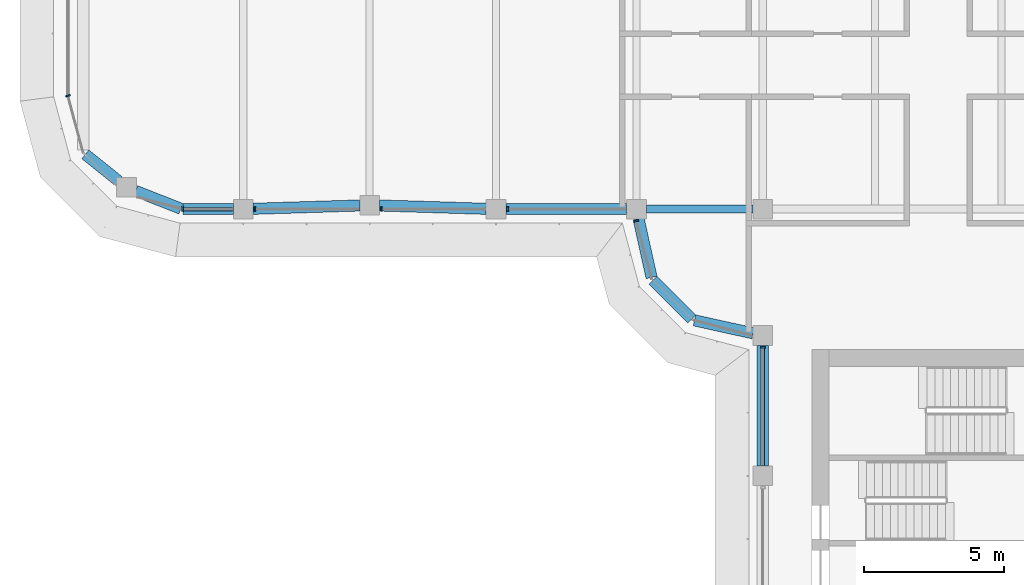
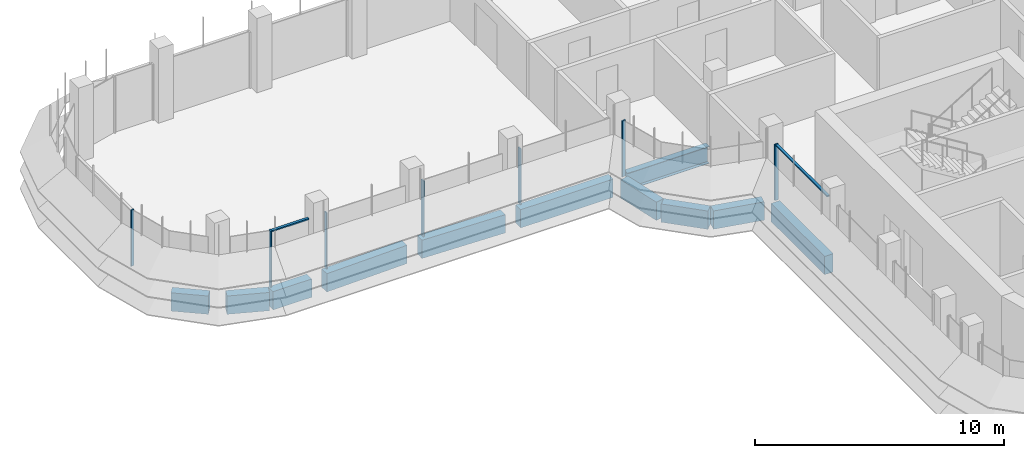
# One storey, part 3 of 19: 11 beams, 9 members, 4 elements without a shape of their own.
"""IFC4 building model written with IfcOpenShell, lengths in metres."""

from ifc_helpers import new_model, si_unit, direction, frame, origin, origin_2d, place, context, subcontext, project, spatial, polyline, rectangle, i_section, outline, extrude, source, transform, mapped, material, material_profile, profile_set, type_object, element, aggregate, save


model = new_model("IFC4")

# Units and contexts
model_context = context("Model", 3, precision=1e-05, world=origin(), true_north=direction((0.0, 1.0)))
body_context = subcontext(model_context, "Body", "Model", "MODEL_VIEW")
ifc_project = project(units=[si_unit("LENGTHUNIT", "METRE"), si_unit("AREAUNIT", "SQUARE_METRE"), si_unit("VOLUMEUNIT", "CUBIC_METRE"), si_unit("PLANEANGLEUNIT", "RADIAN"), si_unit("MASSUNIT", "GRAM", prefix="KILO")], contexts=[model_context])

# Site, building, storey
site_placement = place(None, origin())
site = spatial("IfcSite", under=ifc_project, at=site_placement, CompositionType="ELEMENT")
building_placement = place(site_placement, origin())
building = spatial("IfcBuilding", under=site, at=building_placement, Name="Zarbagh Exchange Tower", CompositionType="ELEMENT")
storey_placement = place(building_placement, frame((0.0, 0.0, 218.199951171875)))
storey = spatial("IfcBuildingStorey", under=building, at=storey_placement, Name="L53", CompositionType="ELEMENT", Elevation=218.199951171875)

# Beams
ifc_material_1 = material(Name="Steel ASTM A992 Gr 50", Category="steel")
ifc_material_profile_1 = material_profile(ifc_material_1, i_section(OverallWidth=0.2919921875, OverallDepth=0.835693359375, WebThickness=0.013916015625, FlangeThickness=0.018798828125, at=origin_2d()), Name="W33X118")
ifc_profile_set_1 = profile_set([ifc_material_profile_1], Name="Steel ASTM A992 Gr 50")
beam_type_1 = type_object("IfcBeamType", Name="Floor girder W33X118", PredefinedType="BEAM", material=ifc_profile_set_1)
beam_1_placement = place(storey_placement, frame((-10.39990234375, -6.25, -0.56787109375), z_axis=(1.0, 0.0, 0.0), x_axis=(0.0, 1.0, 0.0)))
element("IfcBeam", 1, at=beam_1_placement, inside=storey, type_object=beam_type_1, Name="Steel girder", PredefinedType="BEAM", context=body_context, shape_type="SweptSolid", body=[
    extrude(i_section(OverallWidth=0.2919921875, OverallDepth=0.835693359375, WebThickness=0.013916015625, FlangeThickness=0.018798828125, at=origin_2d()), origin(), (0.0, 0.0, 1.0), 3.7998046875),
])
ifc_material_2 = material(Name="Concrete C50/60", Category="concrete")
ifc_material_profile_2 = material_profile(ifc_material_2, rectangle(XDim=0.39990234375, YDim=0.89990234375, at=origin_2d()), Name="RC spandrel beam 400 x 900 C50/60")
ifc_profile_set_2 = profile_set([ifc_material_profile_2], Name="Concrete C50/60")
beam_type_2 = type_object("IfcBeamType", Name="RC spandrel beam 400 x 900 C50/60", PredefinedType="SPANDREL", material=ifc_profile_set_2)
beam_2_placement = place(storey_placement, frame((-6.25, -15.39990234375, -0.599853515625), z_axis=(0.0, 1.0, 0.0), x_axis=(-1.0, 0.0, 0.0)))
element("IfcBeam", 2, at=beam_2_placement, inside=storey, type_object=beam_type_2, Name="RC spandrel beam", PredefinedType="SPANDREL", context=body_context, shape_type="SweptSolid", body=[
    extrude(rectangle(XDim=0.39990234375, YDim=0.89990234375, at=origin_2d()), origin(), (0.0, 0.0, 1.0), 4.2998046875),
])
beam_3_placement = place(storey_placement, frame((-6.591796875, -10.67431640625, -0.599853515625), z_axis=(-0.97639036545, 0.216013551096, 0.0), x_axis=(-0.216013551096, -0.97639036545, 0.0)))
element("IfcBeam", 3, at=beam_3_placement, inside=storey, type_object=beam_type_2, Name="RC spandrel beam", PredefinedType="SPANDREL", context=body_context, shape_type="SweptSolid", body=[
    extrude(rectangle(XDim=0.39990234375, YDim=0.89990234375, at=origin_2d()), origin(), (0.0, 0.0, 1.0), 2.142822265625),
])
beam_4_placement = place(storey_placement, frame((-8.782470703125, -10.15771484375, -0.599853515625), z_axis=(-0.707106781187, 0.707106781187, 0.0), x_axis=(-0.707106781187, -0.707106781187, 0.0)))
element("IfcBeam", 4, at=beam_4_placement, inside=storey, type_object=beam_type_2, Name="RC spandrel beam", PredefinedType="SPANDREL", context=body_context, shape_type="SweptSolid", body=[
    extrude(rectangle(XDim=0.39990234375, YDim=0.89990234375, at=origin_2d()), origin(), (0.0, 0.0, 1.0), 1.94482421875),
])
beam_5_placement = place(storey_placement, frame((-10.21142578125, -8.68408203125, -0.599853515625), z_axis=(-0.216013551096, 0.97639036545, 0.0), x_axis=(-0.97639036545, -0.216013551096, 0.0)))
element("IfcBeam", 5, at=beam_5_placement, inside=storey, type_object=beam_type_2, Name="RC spandrel beam", PredefinedType="SPANDREL", context=body_context, shape_type="SweptSolid", body=[
    extrude(rectangle(XDim=0.39990234375, YDim=0.89990234375, at=origin_2d()), origin(), (0.0, 0.0, 1.0), 2.142822265625),
])
beam_6_placement = place(storey_placement, frame((-11.10009765625, -6.25, -0.599853515625), z_axis=(-1.0, 0.0, 0.0), x_axis=(0.0, -1.0, 0.0)))
element("IfcBeam", 6, at=beam_6_placement, inside=storey, type_object=beam_type_2, Name="RC spandrel beam", PredefinedType="SPANDREL", context=body_context, shape_type="SweptSolid", body=[
    extrude(rectangle(XDim=0.39990234375, YDim=0.89990234375, at=origin_2d()), origin(), (0.0, 0.0, 1.0), 4.2998046875),
])
for number, where, z_axis, x_axis, name in (
    (7, (-16.099853515625, -6.239013671875, -0.599853515625), (-0.999516950199, 0.031078389046, 0.0), (-0.031078389046, -0.999516950199, 0.0), "RC spandrel beam"),
    (8, (-20.599853515625, -6.120849609375, -0.599853515625), (-0.999516950199, -0.031078389046, 0.0), (0.031078389046, -0.999516950199, 0.0), "RC spandrel beam"),
):
    element("IfcBeam", number, at=place(storey_placement, frame(where, z_axis=z_axis, x_axis=x_axis)), inside=storey, type_object=beam_type_2, Name=name, PredefinedType="SPANDREL", context=body_context, shape_type="SweptSolid", body=[
        extrude(rectangle(XDim=0.39990234375, YDim=0.89990234375, at=origin_2d()), origin(), (0.0, 0.0, 1.0), 3.80224609375),
    ])
beam_7_placement = place(storey_placement, frame((-25.10009765625, -6.25, -0.599853515625), z_axis=(-1.0, 0.0, 0.0), x_axis=(0.0, -1.0, 0.0)))
element("IfcBeam", 9, at=beam_7_placement, inside=storey, type_object=beam_type_2, Name="RC spandrel beam", PredefinedType="SPANDREL", context=body_context, shape_type="SweptSolid", body=[
    extrude(rectangle(XDim=0.39990234375, YDim=0.89990234375, at=origin_2d()), origin(), (0.0, 0.0, 1.0), 1.796142578125),
])
beam_8_placement = place(storey_placement, frame((-26.969482421875, -6.236083984375, -0.599853515625), z_axis=(-0.930809711446, 0.365504146457, 0.0), x_axis=(-0.365504146457, -0.930809711446, 0.0)))
element("IfcBeam", 10, at=beam_8_placement, inside=storey, type_object=beam_type_2, Name="RC spandrel beam", PredefinedType="SPANDREL", context=body_context, shape_type="SweptSolid", body=[
    extrude(rectangle(XDim=0.39990234375, YDim=0.89990234375, at=origin_2d()), origin(), (0.0, 0.0, 1.0), 1.732666015625),
])
beam_9_placement = place(storey_placement, frame((-29.18115234375, -5.256103515625, -0.599853515625), z_axis=(-0.780634897504, 0.62498732531, 0.0), x_axis=(-0.62498732531, -0.780634897504, 0.0)))
element("IfcBeam", 11, at=beam_9_placement, inside=storey, type_object=beam_type_2, Name="RC spandrel beam", PredefinedType="SPANDREL", context=body_context, shape_type="SweptSolid", body=[
    extrude(rectangle(XDim=0.39990234375, YDim=0.89990234375, at=origin_2d()), origin(), (0.0, 0.0, 1.0), 1.52783203125),
])

# Curtain wall, member
ifc_material_3 = material(Name="Anodised aluminium frame and glazing", Category="aluminium")
curtain_wall_type = type_object("IfcCurtainWallType", Name="CWB Ribbon glazing, upper zones", PredefinedType="NOTDEFINED", material=ifc_material_3)
curtain_wall_1_placement = place(storey_placement, origin())
curtain_wall_1 = element("IfcCurtainWall", 12, at=curtain_wall_1_placement, inside=storey, type_object=curtain_wall_type, Name="CWB62 curtain wall", PredefinedType="NOTDEFINED")
ifc_material_4 = material(Name="Anodised aluminium frame", Category="aluminium")
member_type_1 = type_object("IfcMemberType", Name="MUB Mullion, anodised aluminium frame", PredefinedType="MULLION", material=ifc_material_4)
shared_shape_1 = source(origin(), body_context, "Body", "SweptSolid", [
    extrude(outline(polyline([(0.0, -0.080078125), (0.06005859375, -0.080078125), (0.06005859375, 0.080078125), (0.0, 0.080078125), (0.0, -0.080078125)])), origin(), (0.0, 0.0, 1.0), 2.75),
])
placement = place(storey_placement, origin())
member_1 = element("IfcMember", 13, at=placement, type_object=member_type_1, Name="CWB62 mullion 1.1", PredefinedType="MULLION", context=body_context, shape_type="MappedRepresentation", body=[
    mapped(shared_shape_1, transform((-31.0, -2.18408203125, 0.0), x_axis=(0.258824779902, -0.965924289636, 0.0), y_axis=(0.965924289636, 0.258824779902, 0.0), z_axis=(0.0, 0.0, 1.0))),
])
aggregate(curtain_wall_1, [member_1])

# Curtain wall, members
curtain_wall_2_placement = place(storey_placement, origin())
curtain_wall_2 = element("IfcCurtainWall", 14, at=curtain_wall_2_placement, inside=storey, type_object=curtain_wall_type, Name="CWB65 curtain wall", PredefinedType="NOTDEFINED")
member_2 = element("IfcMember", 15, at=placement, type_object=member_type_1, Name="CWB65 mullion 1.1", PredefinedType="MULLION", context=body_context, shape_type="MappedRepresentation", body=[
    mapped(shared_shape_1, transform((-26.93408203125, -6.25, 0.0), x_axis=(1.0, 0.0, 0.0), y_axis=(0.0, 1.0, 0.0), z_axis=(0.0, 0.0, 1.0))),
])
member_3 = element("IfcMember", 16, at=placement, type_object=member_type_1, Name="CWB65 mullion 2.1", PredefinedType="MULLION", context=body_context, shape_type="MappedRepresentation", body=[
    mapped(shared_shape_1, transform((-24.35986328125, -6.25, 0.0), x_axis=(1.0, 0.0, 0.0), y_axis=(0.0, 1.0, 0.0), z_axis=(0.0, 0.0, 1.0))),
])
member_4 = element("IfcMember", 17, at=placement, type_object=member_type_1, Name="CWB65 mullion 3.1", PredefinedType="MULLION", context=body_context, shape_type="MappedRepresentation", body=[
    mapped(shared_shape_1, transform((-19.85986328125, -6.25, 0.0), x_axis=(1.0, 0.0, 0.0), y_axis=(0.0, 1.0, 0.0), z_axis=(0.0, 0.0, 1.0))),
])
member_5 = element("IfcMember", 18, at=placement, type_object=member_type_1, Name="CWB65 mullion 4.1", PredefinedType="MULLION", context=body_context, shape_type="MappedRepresentation", body=[
    mapped(shared_shape_1, transform((-15.35986328125, -6.25, 0.0), x_axis=(1.0, 0.0, 0.0), y_axis=(0.0, 1.0, 0.0), z_axis=(0.0, 0.0, 1.0))),
])

# Curtain wall, member
curtain_wall_3_placement = place(storey_placement, origin())
curtain_wall_3 = element("IfcCurtainWall", 19, at=curtain_wall_3_placement, inside=storey, type_object=curtain_wall_type, Name="CWB41 curtain wall", PredefinedType="NOTDEFINED")
member_6 = element("IfcMember", 20, at=placement, type_object=member_type_1, Name="CWB41 mullion 1.1", PredefinedType="MULLION", context=body_context, shape_type="MappedRepresentation", body=[
    mapped(shared_shape_1, transform((-10.76171875, -6.64013671875, 0.0), x_axis=(0.258824779902, -0.965924289636, 0.0), y_axis=(0.965924289636, 0.258824779902, 0.0), z_axis=(0.0, 0.0, 1.0))),
])
aggregate(curtain_wall_3, [member_6])

curtain_wall_4_placement = place(storey_placement, origin())
curtain_wall_4 = element("IfcCurtainWall", 21, at=curtain_wall_4_placement, inside=storey, type_object=curtain_wall_type, Name="CWB53 curtain wall", PredefinedType="NOTDEFINED")
member_7 = element("IfcMember", 22, at=placement, type_object=member_type_1, Name="CWB53 mullion 1.1", PredefinedType="MULLION", context=body_context, shape_type="MappedRepresentation", body=[
    mapped(shared_shape_1, transform((-6.25, -11.14013671875, 0.0), x_axis=(0.0, -1.0, 0.0), y_axis=(1.0, 0.0, 0.0), z_axis=(0.0, 0.0, 1.0))),
])

# Member
member_type_2 = type_object("IfcMemberType", Name="TRB Transom, anodised aluminium frame", PredefinedType="USERDEFINED", material=ifc_material_4)
shared_shape_2 = source(origin(), body_context, "Body", "SweptSolid", [
    extrude(outline(polyline([(-0.06005859375, -0.06005859375), (0.0, -0.06005859375), (0.0, 0.06005859375), (-0.06005859375, 0.06005859375), (-0.06005859375, -0.06005859375)])), origin(), (0.0, 0.0, 1.0), 1.734130859375),
])
member_8 = element("IfcMember", 23, at=placement, type_object=member_type_2, Name="CWB65 transom 1.1", ObjectType="TRANSOM", PredefinedType="USERDEFINED", context=body_context, shape_type="MappedRepresentation", body=[
    mapped(shared_shape_2, transform((-26.874267578125, -6.25, 2.75), x_axis=(0.0, 0.0, 1.0), y_axis=(0.0, -1.0, 0.0), z_axis=(1.0, 0.0, 0.0))),
])

aggregate(curtain_wall_2, [member_2, member_8, member_3, member_4, member_5])

shared_shape_3 = source(origin(), body_context, "Body", "SweptSolid", [
    extrude(outline(polyline([(-0.06005859375, -0.06005859375), (0.0, -0.06005859375), (0.0, 0.06005859375), (-0.06005859375, 0.06005859375), (-0.06005859375, -0.06005859375)])), origin(), (0.0, 0.0, 1.0), 4.159912109375),
])
member_9 = element("IfcMember", 24, at=placement, type_object=member_type_2, Name="CWB53 transom 1.1", ObjectType="TRANSOM", PredefinedType="USERDEFINED", context=body_context, shape_type="MappedRepresentation", body=[
    mapped(shared_shape_3, transform((-6.25, -11.199951171875, 2.75), x_axis=(0.0, 0.0, 1.0), y_axis=(-1.0, 0.0, 0.0), z_axis=(0.0, -1.0, 0.0))),
])

aggregate(curtain_wall_4, [member_7, member_9])

save(model, "model.ifc")
